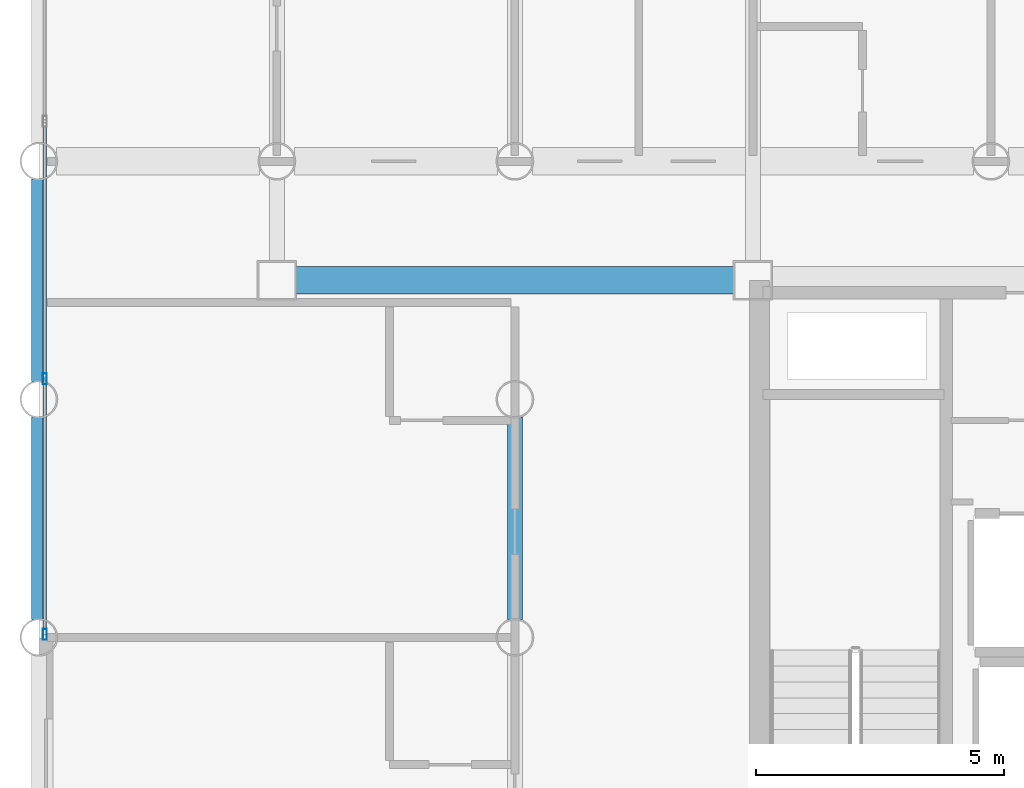
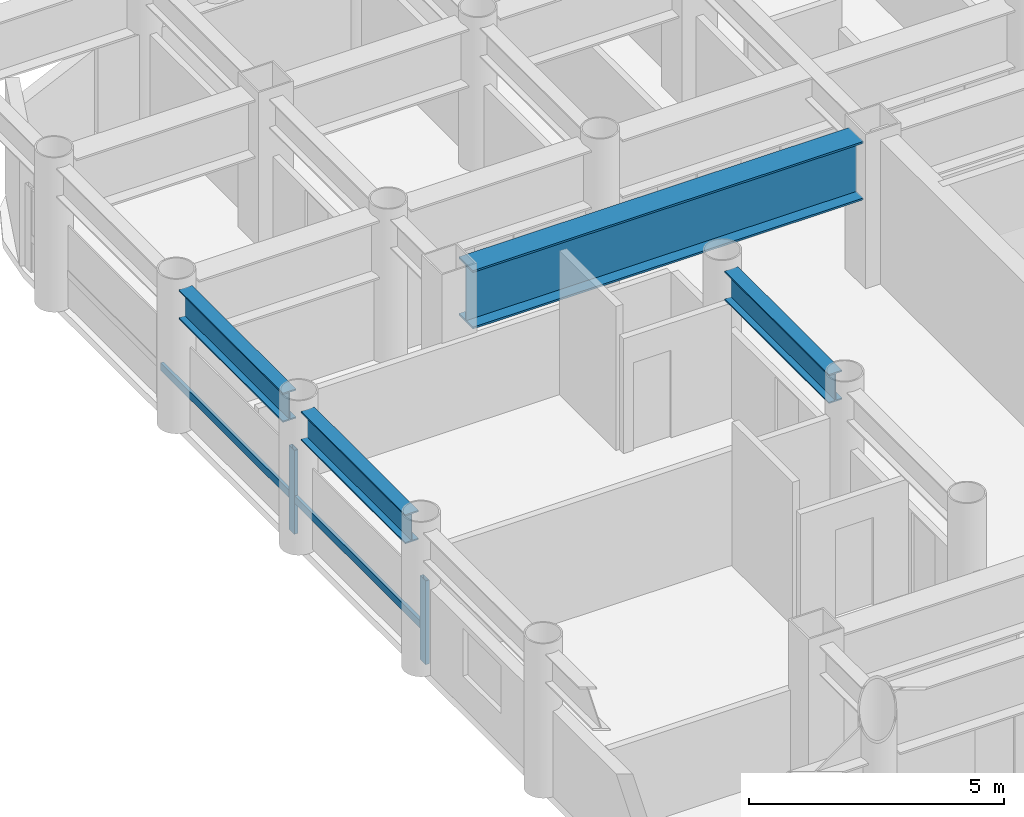
# One storey, part 4 of 21: 4 beams, 4 members, 1 element without a shape of its own.
"""IFC4 building model written with IfcOpenShell, lengths in metres."""

from ifc_helpers import new_model, si_unit, direction, frame, origin, origin_2d, place, context, subcontext, project, spatial, hollow_rectangle, i_section, extrude, material, layer, layer_set, material_profile, profile_set, type_object, element, aggregate, save


model = new_model("IFC4")

# Units and contexts
model_context = context("Model", 3, precision=1e-05, world=origin(), true_north=direction((0.0, 1.0)))
body_context = subcontext(model_context, "Body", "Model", "MODEL_VIEW")
ifc_project = project(units=[si_unit("LENGTHUNIT", "METRE"), si_unit("AREAUNIT", "SQUARE_METRE"), si_unit("VOLUMEUNIT", "CUBIC_METRE"), si_unit("PLANEANGLEUNIT", "RADIAN"), si_unit("MASSUNIT", "GRAM", prefix="KILO")], contexts=[model_context])

# Site, building, storey
site_placement = place(None, origin())
site = spatial("IfcSite", under=ifc_project, at=site_placement, CompositionType="ELEMENT")
building_placement = place(site_placement, origin())
building = spatial("IfcBuilding", under=site, at=building_placement, Name="Kallvorn Hotel Tower", CompositionType="ELEMENT")
storey_placement = place(building_placement, frame((0.0, 0.0, 85.5)))
storey = spatial("IfcBuildingStorey", under=building, at=storey_placement, Name="L20", CompositionType="ELEMENT", Elevation=85.5)

# Beams
ifc_material_1 = material(Name="Structural steel S355JR", Category="steel")
ifc_material_profile_1 = material_profile(ifc_material_1, i_section(OverallWidth=0.300048828125, OverallDepth=0.699951171875, WebThickness=0.01708984375, FlangeThickness=0.031982421875, at=origin_2d()), Name="HE 700 B")
ifc_profile_set_1 = profile_set([ifc_material_profile_1], Name="Structural steel S355JR")
beam_type_1 = type_object("IfcBeamType", Name="BM_HE700B", PredefinedType="BEAM", material=ifc_profile_set_1)
beam_1_placement = place(storey_placement, frame((-28.800048828125, 0.35595703125, 3.10009765625), z_axis=(0.0, 1.0, 0.0), x_axis=(-1.0, 0.0, 0.0)))
element("IfcBeam", 1, at=beam_1_placement, inside=storey, type_object=beam_type_1, Name="L21 Primary Y-Girder 77", PredefinedType="BEAM", context=body_context, shape_type="SweptSolid", body=[
    extrude(i_section(OverallWidth=0.300048828125, OverallDepth=0.699951171875, WebThickness=0.01708984375, FlangeThickness=0.031982421875, at=origin_2d()), origin(), (0.0, 0.0, 1.0), 4.088134765625),
])
beam_2_placement = place(storey_placement, frame((-28.800048828125, 5.156005859375, 3.10009765625), z_axis=(0.0, 1.0, 0.0), x_axis=(-1.0, 0.0, 0.0)))
element("IfcBeam", 2, at=beam_2_placement, inside=storey, type_object=beam_type_1, Name="L21 Primary Y-Girder 78", PredefinedType="BEAM", context=body_context, shape_type="SweptSolid", body=[
    extrude(i_section(OverallWidth=0.300048828125, OverallDepth=0.699951171875, WebThickness=0.01708984375, FlangeThickness=0.031982421875, at=origin_2d()), origin(), (0.0, 0.0, 1.0), 4.087890625),
])
beam_3_placement = place(storey_placement, frame((-19.199951171875, 0.35595703125, 3.10009765625), z_axis=(0.0, 1.0, 0.0), x_axis=(-1.0, 0.0, 0.0)))
element("IfcBeam", 3, at=beam_3_placement, inside=storey, type_object=beam_type_1, Name="L21 Primary Y-Girder 93", PredefinedType="BEAM", context=body_context, shape_type="SweptSolid", body=[
    extrude(i_section(OverallWidth=0.300048828125, OverallDepth=0.699951171875, WebThickness=0.01708984375, FlangeThickness=0.031982421875, at=origin_2d()), origin(), (0.0, 0.0, 1.0), 4.088134765625),
])
ifc_material_2 = material(Name="Structural steel S355JR", Category="steel")
ifc_material_profile_2 = material_profile(ifc_material_2, i_section(OverallWidth=0.550048828125, OverallDepth=1.39990234375, WebThickness=0.02490234375, FlangeThickness=0.044921875, at=origin_2d()), Name="PG 1400x550x25x45")
ifc_profile_set_2 = profile_set([ifc_material_profile_2], Name="Structural steel S355JR")
beam_type_2 = type_object("IfcBeamType", Name="BM_PG_1400", PredefinedType="BEAM", material=ifc_profile_set_2)
beam_4_placement = place(storey_placement, frame((-23.625, 7.199951171875, 2.75), z_axis=(1.0, 0.0, 0.0), x_axis=(0.0, 1.0, 0.0)))
element("IfcBeam", 4, at=beam_4_placement, inside=storey, type_object=beam_type_2, Name="L21 Primary X-Girder 37", PredefinedType="BEAM", context=body_context, shape_type="SweptSolid", body=[
    extrude(i_section(OverallWidth=0.550048828125, OverallDepth=1.39990234375, WebThickness=0.02490234375, FlangeThickness=0.044921875, at=origin_2d()), origin(), (0.0, 0.0, 1.0), 8.85009765625),
])

# Curtain wall, members
ifc_material_3 = material(Name="Thermally broken black-anodised aluminium AA 6063-T6", Category="aluminium")
ifc_layer = layer(ifc_material_3, 0.199951171875)
ifc_layer_set = layer_set([ifc_layer], Name="CW_SYS_3_HOTEL_LOW")
curtain_wall_type = type_object("IfcCurtainWallType", Name="CW_SYS_3_HOTEL_LOW", PredefinedType="USERDEFINED", material=ifc_layer_set)
curtain_wall_placement = place(storey_placement, origin())
curtain_wall = element("IfcCurtainWall", 5, at=curtain_wall_placement, inside=storey, type_object=curtain_wall_type, Name="L20 Dark-Glass Curtain Wall CW-L20-WN", ObjectType="UNITISED CURTAIN WALL", PredefinedType="USERDEFINED")
ifc_material_4 = material(Name="Thermally broken black-anodised aluminium AA 6063-T6", Category="aluminium")
ifc_material_profile_3 = material_profile(ifc_material_4, hollow_rectangle(XDim=0.080078125, YDim=0.219970703125, WallThickness=0.0048828125, at=origin_2d()), Name="MUL 220x80")
ifc_profile_set_3 = profile_set([ifc_material_profile_3], Name="Thermally broken black-anodised aluminium AA 6063-T6")
member_type_1 = type_object("IfcMemberType", Name="CW_MULLION_220x80", PredefinedType="MULLION", material=ifc_profile_set_3)
member_1_placement = place(storey_placement, frame((-28.679931640625, 0.06005859375, 0.02001953125), z_axis=(0.0, 0.0, 1.0), x_axis=(1.0, 0.0, 0.0)))
member_1 = element("IfcMember", 6, at=member_1_placement, type_object=member_type_1, Name="CW-L20-WN Mullion 00", PredefinedType="MULLION", context=body_context, shape_type="SweptSolid", body=[
    extrude(hollow_rectangle(XDim=0.080078125, YDim=0.219970703125, WallThickness=0.0048828125, at=origin_2d()), origin(), (0.0, 0.0, 1.0), 2.010009765625),
])
member_2_placement = place(storey_placement, frame((-28.679931640625, 5.21337890625, 0.02001953125), z_axis=(0.0, 0.0, 1.0), x_axis=(1.0, 0.0, 0.0)))
member_2 = element("IfcMember", 7, at=member_2_placement, type_object=member_type_1, Name="CW-L20-WN Mullion 01", PredefinedType="MULLION", context=body_context, shape_type="SweptSolid", body=[
    extrude(hollow_rectangle(XDim=0.080078125, YDim=0.219970703125, WallThickness=0.0048828125, at=origin_2d()), origin(), (0.0, 0.0, 1.0), 2.010009765625),
])
ifc_material_5 = material(Name="Thermally broken black-anodised aluminium AA 6063-T6", Category="aluminium")
ifc_material_profile_4 = material_profile(ifc_material_5, hollow_rectangle(XDim=0.070068359375, YDim=0.179931640625, WallThickness=0.00390625, at=origin_2d()), Name="TRN 180x70")
ifc_profile_set_4 = profile_set([ifc_material_profile_4], Name="Thermally broken black-anodised aluminium AA 6063-T6")
member_type_2 = type_object("IfcMemberType", Name="CW_TRANSOM_180x70", PredefinedType="USERDEFINED", material=ifc_profile_set_4)
member_3_placement = place(storey_placement, frame((-28.679931640625, 0.06005859375, 0.85009765625), z_axis=(0.0, 1.0, 0.0), x_axis=(-1.0, 0.0, 0.0)))
member_3 = element("IfcMember", 8, at=member_3_placement, type_object=member_type_2, Name="CW-L20-WN Transom 00M", ObjectType="TRANSOM", PredefinedType="USERDEFINED", context=body_context, shape_type="SweptSolid", body=[
    extrude(hollow_rectangle(XDim=0.070068359375, YDim=0.179931640625, WallThickness=0.00390625, at=origin_2d()), origin(), (0.0, 0.0, 1.0), 5.11328125),
])
member_4_placement = place(storey_placement, frame((-28.679931640625, 5.25341796875, 0.85009765625), z_axis=(0.0, 1.0, 0.0), x_axis=(-1.0, 0.0, 0.0)))
member_4 = element("IfcMember", 9, at=member_4_placement, type_object=member_type_2, Name="CW-L20-WN Transom 01M", ObjectType="TRANSOM", PredefinedType="USERDEFINED", context=body_context, shape_type="SweptSolid", body=[
    extrude(hollow_rectangle(XDim=0.070068359375, YDim=0.179931640625, WallThickness=0.00390625, at=origin_2d()), origin(), (0.0, 0.0, 1.0), 5.11328125),
])
aggregate(curtain_wall, [member_1, member_2, member_3, member_4])

save(model, "model.ifc")
